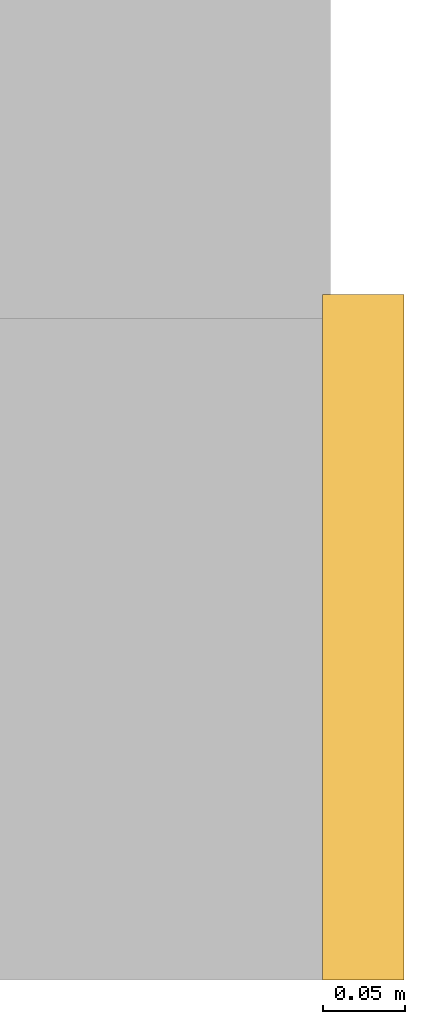
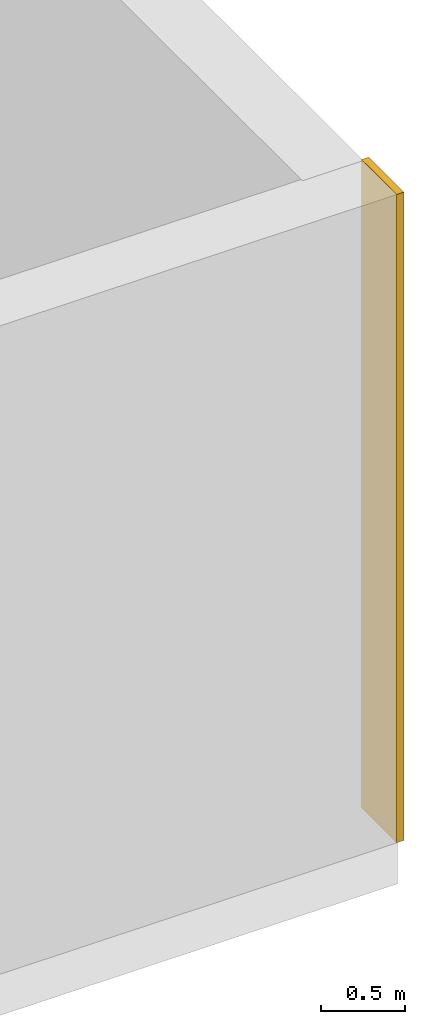
# One storey, part 19 of 20: 1 covering.
"""IFC4 building model written with IfcOpenShell, lengths in metres."""

from ifc_helpers import new_model, si_unit, direction, frame, frame_2d, origin, place, context, subcontext, project, spatial, rectangle, extrude, material, layer, layer_set, type_object, element, save


model = new_model("IFC4")

# Units and contexts
model_context = context("Model", 3, precision=1e-05, world=origin(), true_north=direction((0.0, 1.0)))
body_context = subcontext(model_context, "Body", "Model", "MODEL_VIEW")
ifc_project = project(units=[si_unit("LENGTHUNIT", "METRE"), si_unit("AREAUNIT", "SQUARE_METRE"), si_unit("VOLUMEUNIT", "CUBIC_METRE"), si_unit("PLANEANGLEUNIT", "RADIAN"), si_unit("MASSUNIT", "GRAM", prefix="KILO")], contexts=[model_context])

# Site, building, storey
site_placement = place(None, origin())
site = spatial("IfcSite", under=ifc_project, at=site_placement, CompositionType="ELEMENT")
building_placement = place(site_placement, origin())
building = spatial("IfcBuilding", under=site, at=building_placement, Name="Cairnveth Concourse Tower", CompositionType="ELEMENT")
storey_placement = place(building_placement, frame((0.0, 0.0, 5.0)))
storey = spatial("IfcBuildingStorey", under=building, at=storey_placement, Name="L01", CompositionType="ELEMENT", Elevation=5.0)

# Covering
ifc_material = material(Name="Dressed Melbourne Bluestone Cladding", Category="masonry")
ifc_layer = layer(ifc_material, 0.050048828125)
ifc_layer_set = layer_set([ifc_layer], Name="Dressed Melbourne Bluestone Cladding")
covering_type = type_object("IfcCoveringType", Name="DRESSED BLUESTONE PLINTH CLADDING 50", PredefinedType="CLADDING", material=ifc_layer_set)
covering_placement = place(storey_placement, frame((86.02001953125, 12.419921875, 0.0), z_axis=(0.0, 0.0, 1.0), x_axis=(0.0, -1.0, 0.0)))
element("IfcCovering", 1, at=covering_placement, inside=storey, type_object=covering_type, Name="Melbourne Bluestone Corner Quoin L01-9", PredefinedType="CLADDING", context=body_context, shape_type="SweptSolid", body=[
    extrude(rectangle(XDim=0.419921875, YDim=0.050048828125, at=frame_2d((0.2099609375, 0.0))), origin(), (0.0, 0.0, 1.0), 4.719970703125),
])

save(model, "model.ifc")
